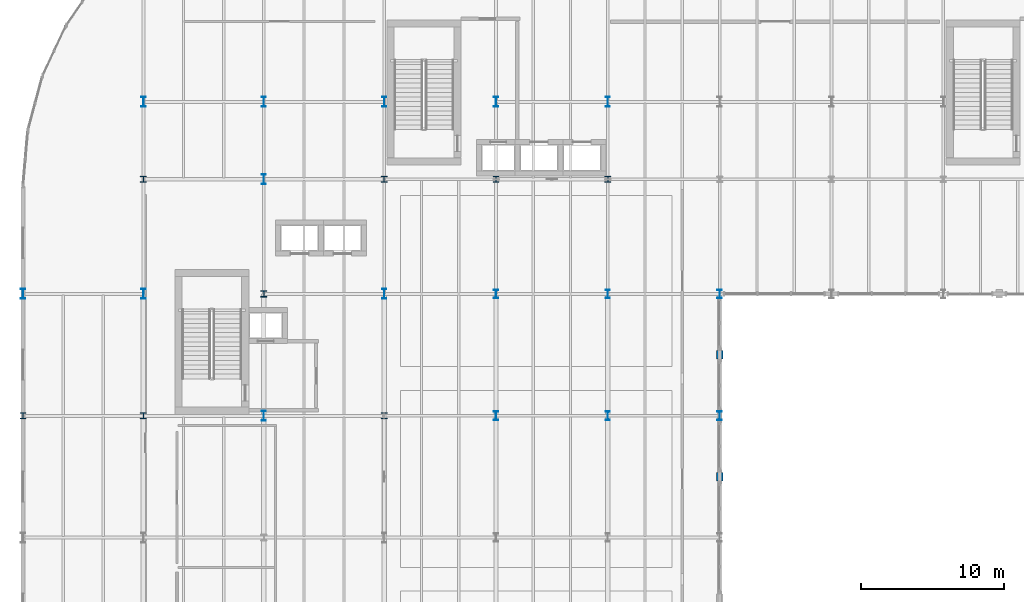
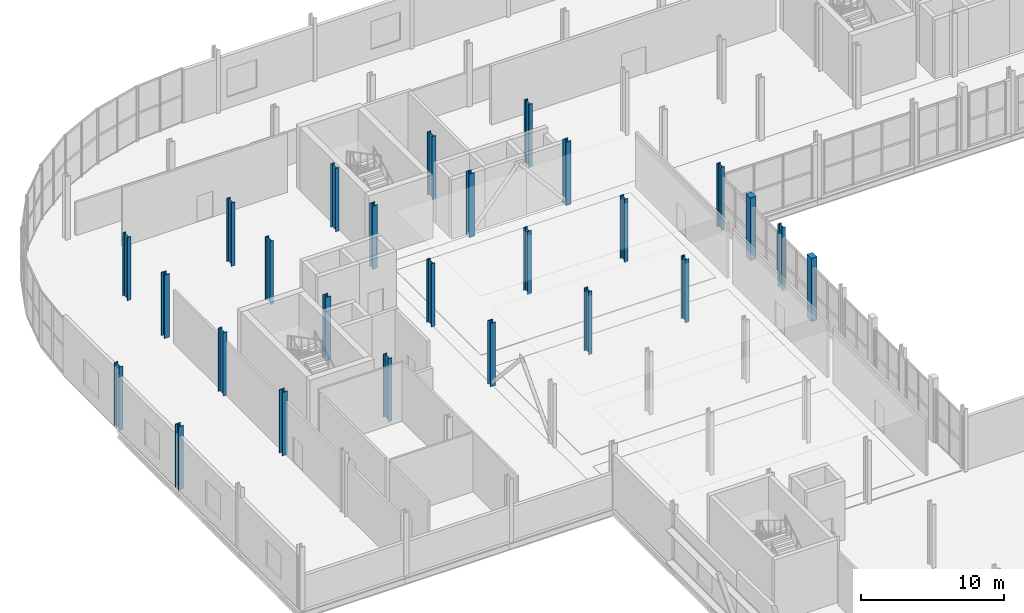
# One storey, part 8 of 78: 26 columns.
"""IFC4 building model written with IfcOpenShell, lengths in metres."""

from ifc_helpers import new_model, si_unit, direction, frame, origin, origin_2d, place, context, subcontext, project, spatial, rectangle, i_section, extrude, material, material_profile, profile_set, type_object, element, save


model = new_model("IFC4")

# Units and contexts
model_context = context("Model", 3, precision=1e-05, world=origin(), true_north=direction((0.0, 1.0)))
body_context = subcontext(model_context, "Body", "Model", "MODEL_VIEW")
ifc_project = project(units=[si_unit("LENGTHUNIT", "METRE"), si_unit("AREAUNIT", "SQUARE_METRE"), si_unit("VOLUMEUNIT", "CUBIC_METRE"), si_unit("PLANEANGLEUNIT", "RADIAN"), si_unit("MASSUNIT", "GRAM", prefix="KILO")], contexts=[model_context])

# Site, building, storey
site_placement = place(None, origin())
site = spatial("IfcSite", under=ifc_project, at=site_placement, CompositionType="ELEMENT")
building_placement = place(site_placement, origin())
building = spatial("IfcBuilding", under=site, at=building_placement, Name="Sefraquen Railside Congress Hotel", CompositionType="ELEMENT")
storey_placement = place(building_placement, frame((0.0, 0.0, 6.0)))
storey = spatial("IfcBuildingStorey", under=building, at=storey_placement, Name="L01", CompositionType="ELEMENT", Elevation=6.0)

# Columns
ifc_material_1 = material(Name="Steel S355J2", Category="steel")
ifc_material_profile_1 = material_profile(ifc_material_1, i_section(OverallWidth=0.416015625, OverallDepth=0.446044921875, WebThickness=0.035888671875, FlangeThickness=0.048095703125, FilletRadius=0.014892578125, at=origin_2d()), Name="HD 400x509")
ifc_profile_set_1 = profile_set([ifc_material_profile_1], Name="Steel S355J2")
column_type_1 = type_object("IfcColumnType", Name="TC-HD-509", PredefinedType="COLUMN", material=ifc_profile_set_1)
for number, where, z_axis, x_axis, name in (
    (1, (0.0, 79.5, 0.0), (0.0, 0.0, 1.0), (1.0, 0.0, 0.0), "Structural column 1-K L01"),
    (2, (8.39990234375, 79.5, 0.0), (0.0, 0.0, 1.0), (1.0, 0.0, 0.0), "Structural column 2-K L01"),
    (3, (8.39990234375, 96.0, 0.0), (0.0, 0.0, 1.0), (1.0, 0.0, 0.0), "Structural column 2-M L01"),
    (4, (16.800048828125, 88.0, 0.0), (0.0, 0.0, 1.0), (1.0, 0.0, 0.0), "Structural column 3-L L01"),
    (5, (25.199951171875, 79.5, 0.0), (0.0, 0.0, 1.0), (1.0, 0.0, 0.0), "Structural column 4-K L01"),
    (6, (25.199951171875, 96.0, 0.0), (0.0, 0.0, 1.0), (1.0, 0.0, 0.0), "Structural column 4-M L01"),
    (7, (33.0, 96.0, 0.0), (0.0, 0.0, 1.0), (1.0, 0.0, 0.0), "Structural column 5-M L01"),
    (8, (40.800048828125, 96.0, 0.0), (0.0, 0.0, 1.0), (1.0, 0.0, 0.0), "Structural column 6-M L01"),
):
    element("IfcColumn", number, at=place(storey_placement, frame(where, z_axis=z_axis, x_axis=x_axis)), inside=storey, type_object=column_type_1, Name=name, PredefinedType="COLUMN", context=body_context, shape_type="SweptSolid", body=[
        extrude(i_section(OverallWidth=0.416015625, OverallDepth=0.446044921875, WebThickness=0.035888671875, FlangeThickness=0.048095703125, FilletRadius=0.014892578125, at=origin_2d()), origin(), (0.0, 0.0, 1.0), 5.39990234375),
    ])
ifc_material_2 = material(Name="Steel S355JR", Category="steel")
ifc_material_profile_2 = material_profile(ifc_material_2, i_section(OverallWidth=0.300048828125, OverallDepth=0.60009765625, WebThickness=0.015380859375, FlangeThickness=0.030029296875, FilletRadius=0.027099609375, at=origin_2d()), Name="HEB 600")
ifc_profile_set_2 = profile_set([ifc_material_profile_2], Name="Steel S355JR")
column_type_2 = type_object("IfcColumnType", Name="TC-HEB-600", PredefinedType="COLUMN", material=ifc_profile_set_2)
for number, where, z_axis, x_axis, name in (
    (9, (33.0, 79.5, 0.0), (0.0, 0.0, 1.0), (1.0, 0.0, 0.0), "Structural column 5-K L01"),
    (10, (33.0, 88.0, 0.0), (0.0, 0.0, 1.0), (1.0, 0.0, 0.0), "Structural column 5-L L01"),
    (11, (40.800048828125, 79.5, 0.0), (0.0, 0.0, 1.0), (1.0, 0.0, 0.0), "Structural column 6-K L01"),
    (12, (40.800048828125, 88.0, 0.0), (0.0, 0.0, 1.0), (1.0, 0.0, 0.0), "Structural column 6-L L01"),
    (13, (48.60009765625, 79.5, 0.0), (0.0, 0.0, 1.0), (1.0, 0.0, 0.0), "Structural column 7-K L01"),
    (14, (48.60009765625, 88.0, 0.0), (0.0, 0.0, 1.0), (1.0, 0.0, 0.0), "Structural column 7-L L01"),
):
    element("IfcColumn", number, at=place(storey_placement, frame(where, z_axis=z_axis, x_axis=x_axis)), inside=storey, type_object=column_type_2, Name=name, PredefinedType="COLUMN", context=body_context, shape_type="SweptSolid", body=[
        extrude(i_section(OverallWidth=0.300048828125, OverallDepth=0.60009765625, WebThickness=0.015380859375, FlangeThickness=0.030029296875, FilletRadius=0.027099609375, at=origin_2d()), origin(), (0.0, 0.0, 1.0), 5.39990234375),
    ])
ifc_material_profile_3 = material_profile(ifc_material_2, i_section(OverallWidth=0.300048828125, OverallDepth=0.699951171875, WebThickness=0.01708984375, FlangeThickness=0.031982421875, FilletRadius=0.027099609375, at=origin_2d()), Name="HEB 700")
ifc_profile_set_3 = profile_set([ifc_material_profile_3], Name="Steel S355JR")
column_type_3 = type_object("IfcColumnType", Name="TC-HEB-700", PredefinedType="COLUMN", material=ifc_profile_set_3)
for number, where, z_axis, x_axis, name in (
    (15, (0.0, 88.0, 0.0), (0.0, 0.0, 1.0), (1.0, 0.0, 0.0), "Structural column 1-L L01"),
    (16, (8.39990234375, 88.0, 0.0), (0.0, 0.0, 1.0), (1.0, 0.0, 0.0), "Structural column 2-L L01"),
    (17, (16.800048828125, 79.5, 0.0), (0.0, 0.0, 1.0), (1.0, 0.0, 0.0), "Structural column 3-K L01"),
    (18, (16.800048828125, 96.0, 0.0), (0.0, 0.0, 1.0), (1.0, 0.0, 0.0), "Structural column 3-M L01"),
    (19, (25.199951171875, 88.0, 0.0), (0.0, 0.0, 1.0), (1.0, 0.0, 0.0), "Structural column 4-L L01"),
    (20, (8.39990234375, 101.39990234375, 0.0), (0.0, 0.0, 1.0), (1.0, 0.0, 0.0), "Structural column 2-N L01"),
    (21, (16.800048828125, 101.39990234375, 0.0), (0.0, 0.0, 1.0), (1.0, 0.0, 0.0), "Structural column 3-N L01"),
    (22, (25.199951171875, 101.39990234375, 0.0), (0.0, 0.0, 1.0), (1.0, 0.0, 0.0), "Structural column 4-N L01"),
    (23, (33.0, 101.39990234375, 0.0), (0.0, 0.0, 1.0), (1.0, 0.0, 0.0), "Structural column 5-N L01"),
    (24, (40.800048828125, 101.39990234375, 0.0), (0.0, 0.0, 1.0), (1.0, 0.0, 0.0), "Structural column 6-N L01"),
):
    element("IfcColumn", number, at=place(storey_placement, frame(where, z_axis=z_axis, x_axis=x_axis)), inside=storey, type_object=column_type_3, Name=name, PredefinedType="COLUMN", context=body_context, shape_type="SweptSolid", body=[
        extrude(i_section(OverallWidth=0.300048828125, OverallDepth=0.699951171875, WebThickness=0.01708984375, FlangeThickness=0.031982421875, FilletRadius=0.027099609375, at=origin_2d()), origin(), (0.0, 0.0, 1.0), 5.39990234375),
    ])
ifc_material_3 = material(Name="Concrete C50/60", Category="concrete")
ifc_material_profile_4 = material_profile(ifc_material_3, rectangle(XDim=0.449951171875, YDim=0.60009765625, at=origin_2d()), Name="RC 600x450")
ifc_profile_set_4 = profile_set([ifc_material_profile_4], Name="Concrete C50/60")
column_type_4 = type_object("IfcColumnType", Name="TC-PIL-600", PredefinedType="PILASTER", material=ifc_profile_set_4)
for number, where, z_axis, x_axis, name in (
    (25, (48.60009765625, 75.25, 0.0), (0.0, 0.0, 1.0), (1.0, 0.0, 0.0), "Courtyard limestone pilaster CPIL-W3 L01"),
    (26, (48.60009765625, 83.75, 0.0), (0.0, 0.0, 1.0), (1.0, 0.0, 0.0), "Courtyard limestone pilaster CPIL-W4 L01"),
):
    element("IfcColumn", number, at=place(storey_placement, frame(where, z_axis=z_axis, x_axis=x_axis)), inside=storey, type_object=column_type_4, Name=name, PredefinedType="PILASTER", context=body_context, shape_type="SweptSolid", body=[
        extrude(rectangle(XDim=0.449951171875, YDim=0.60009765625, at=origin_2d()), origin(), (0.0, 0.0, 1.0), 5.39990234375),
    ])

save(model, "model.ifc")
